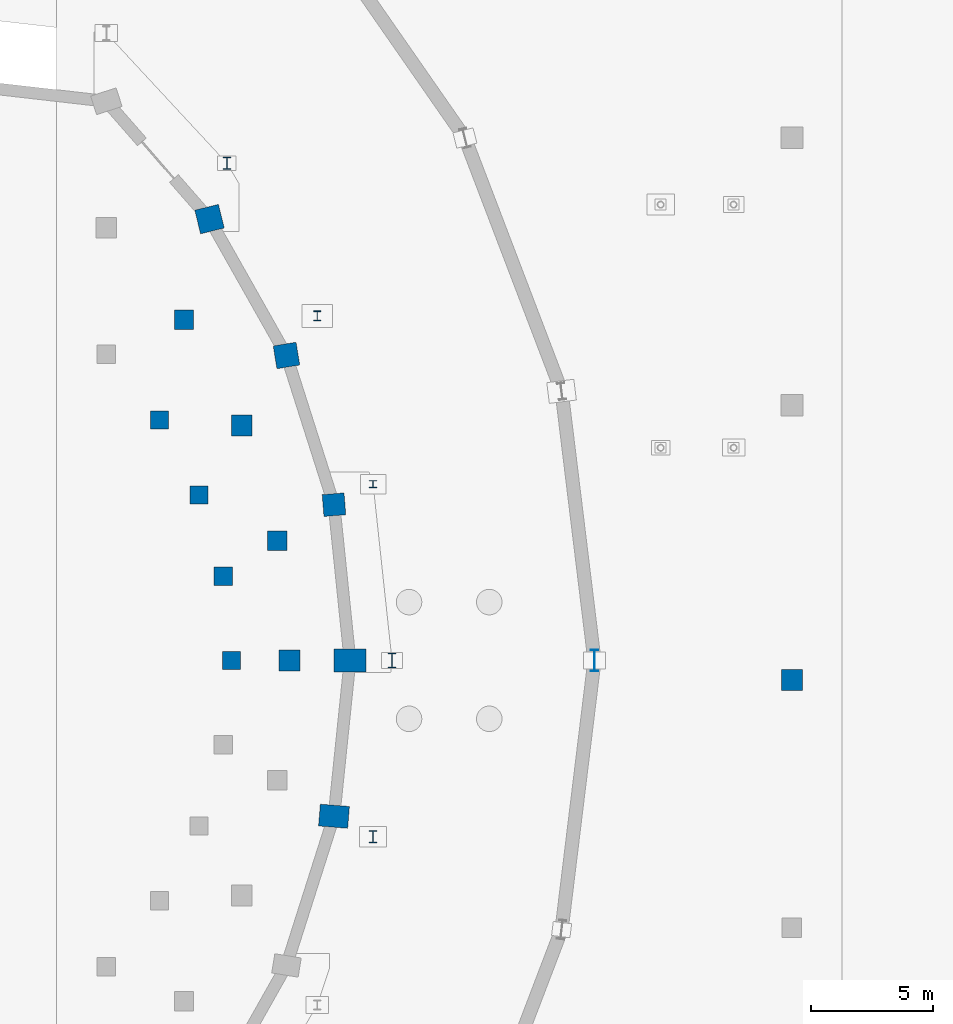
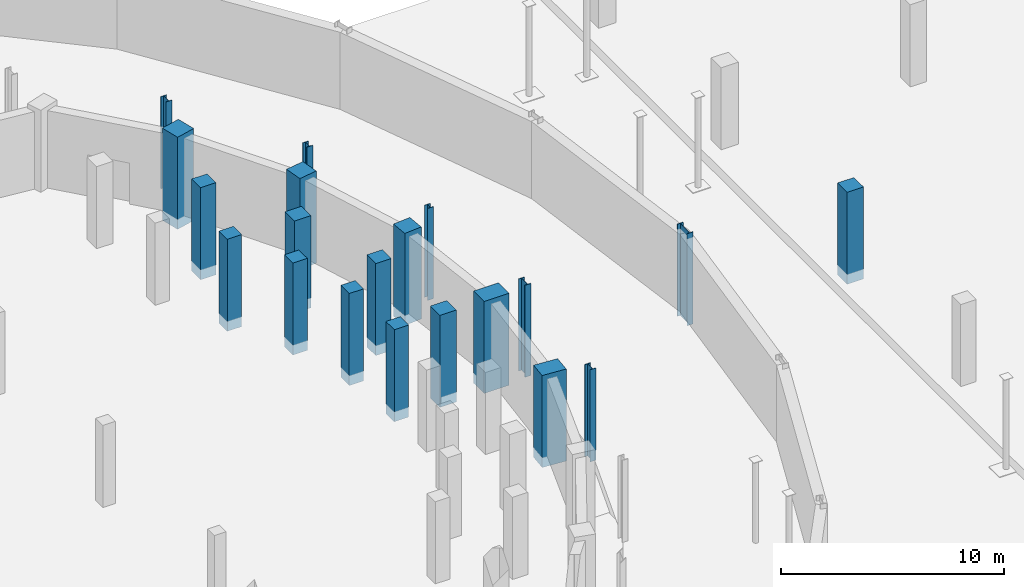
# One storey, part 30 of 55: 20 columns.
"""IFC4 building model written with IfcOpenShell, lengths in metres."""

from ifc_helpers import new_model, si_unit, direction, frame, origin, origin_2d, place, context, subcontext, project, spatial, rectangle, i_section, extrude, material, material_profile, profile_set, type_object, element, save


model = new_model("IFC4")

# Units and contexts
model_context = context("Model", 3, precision=1e-05, world=origin(), true_north=direction((0.0, 1.0)))
body_context = subcontext(model_context, "Body", "Model", "MODEL_VIEW")
ifc_project = project(units=[si_unit("LENGTHUNIT", "METRE"), si_unit("AREAUNIT", "SQUARE_METRE"), si_unit("VOLUMEUNIT", "CUBIC_METRE"), si_unit("PLANEANGLEUNIT", "RADIAN"), si_unit("MASSUNIT", "GRAM", prefix="KILO")], contexts=[model_context])

# Site, building, storey
site_placement = place(None, origin())
site = spatial("IfcSite", under=ifc_project, at=site_placement, CompositionType="ELEMENT")
building_placement = place(site_placement, origin())
building = spatial("IfcBuilding", under=site, at=building_placement, Name="Sohan Crest Arena", CompositionType="ELEMENT")
storey_placement = place(building_placement, frame((0.0, 0.0, -4.5)))
storey = spatial("IfcBuildingStorey", under=building, at=storey_placement, Name="B1", CompositionType="ELEMENT", Elevation=-4.5)

# Columns
ifc_material_1 = material(Name="Concrete C40/50", Category="concrete")
ifc_material_profile_1 = material_profile(ifc_material_1, rectangle(XDim=0.75, YDim=0.75, at=origin_2d()), Name="RC 750x750")
ifc_profile_set_1 = profile_set([ifc_material_profile_1], Name="Concrete C40/50")
column_type_1 = type_object("IfcColumnType", Name="STR-COL-C04", PredefinedType="COLUMN", material=ifc_profile_set_1)
for number, where, z_axis, x_axis, name in (
    (1, (173.14501953125, 78.0, -0.550048828125), (0.0, 0.0, 1.0), (1.0, 0.0, 0.0), "Structural column COL-V1I-24-B1"),
    (2, (172.80810546875, 81.467041015625, -0.550048828125), (0.0, 0.0, 1.0), (1.0, 0.0, 0.0), "Structural column COL-V1I-25-B1"),
    (3, (171.80908203125, 84.804931640625, -0.550048828125), (0.0, 0.0, 1.0), (1.0, 0.0, 0.0), "Structural column COL-V1I-26-B1"),
    (4, (170.18603515625, 87.887939453125, -0.550048828125), (0.0, 0.0, 1.0), (1.0, 0.0, 0.0), "Structural column COL-V1I-27-B1"),
):
    element("IfcColumn", number, at=place(storey_placement, frame(where, z_axis=z_axis, x_axis=x_axis)), inside=storey, type_object=column_type_1, Name=name, PredefinedType="COLUMN", context=body_context, shape_type="SweptSolid", body=[
        extrude(rectangle(XDim=0.75, YDim=0.75, at=origin_2d()), origin(), (0.0, 0.0, 1.0), 5.050048828125),
    ])
ifc_material_profile_2 = material_profile(ifc_material_1, rectangle(XDim=0.800048828125, YDim=0.800048828125, at=origin_2d()), Name="RC 800x800")
ifc_profile_set_2 = profile_set([ifc_material_profile_2], Name="Concrete C40/50")
column_type_2 = type_object("IfcColumnType", Name="STR-COL-C05", PredefinedType="COLUMN", material=ifc_profile_set_2)
for number, where, z_axis, x_axis, name in (
    (5, (175.037109375, 82.929931640625, -0.550048828125), (0.0, 0.0, 1.0), (1.0, 0.0, 0.0), "Structural column COL-V1M-25-B1"),
    (6, (171.194091796875, 92.011962890625, -0.550048828125), (0.0, 0.0, 1.0), (1.0, 0.0, 0.0), "Structural column COL-V1M-27-B1"),
):
    element("IfcColumn", number, at=place(storey_placement, frame(where, z_axis=z_axis, x_axis=x_axis)), inside=storey, type_object=column_type_2, Name=name, PredefinedType="COLUMN", context=body_context, shape_type="SweptSolid", body=[
        extrude(rectangle(XDim=0.800048828125, YDim=0.800048828125, at=origin_2d()), origin(), (0.0, 0.0, 1.0), 5.050048828125),
    ])
ifc_material_profile_3 = material_profile(ifc_material_1, rectangle(XDim=0.85009765625, YDim=0.85009765625, at=origin_2d()), Name="RC 850x850")
ifc_profile_set_3 = profile_set([ifc_material_profile_3], Name="Concrete C40/50")
column_type_3 = type_object("IfcColumnType", Name="STR-COL-C06", PredefinedType="COLUMN", material=ifc_profile_set_3)
for number, where, z_axis, x_axis, name in (
    (7, (175.531982421875, 78.0, -0.550048828125), (0.0, 0.0, 1.0), (1.0, 0.0, 0.0), "Structural column COL-V1M-24-B1"),
    (8, (173.571044921875, 87.6640625, -0.550048828125), (0.0, 0.0, 1.0), (1.0, 0.0, 0.0), "Structural column COL-V1M-26-B1"),
    (9, (196.199951171875, 77.199951171875, -0.550048828125), (0.0, 0.0, 1.0), (1.0, 0.0, 0.0), "Structural column COL-V4S-14-B1"),
):
    element("IfcColumn", number, at=place(storey_placement, frame(where, z_axis=z_axis, x_axis=x_axis)), inside=storey, type_object=column_type_3, Name=name, PredefinedType="COLUMN", context=body_context, shape_type="SweptSolid", body=[
        extrude(rectangle(XDim=0.85009765625, YDim=0.85009765625, at=origin_2d()), origin(), (0.0, 0.0, 1.0), 5.050048828125),
    ])
ifc_material_profile_4 = material_profile(ifc_material_1, rectangle(XDim=0.89990234375, YDim=0.89990234375, at=origin_2d()), Name="RC 900x900")
ifc_profile_set_4 = profile_set([ifc_material_profile_4], Name="Concrete C40/50")
column_type_4 = type_object("IfcColumnType", Name="STR-COL-C07", PredefinedType="COLUMN", material=ifc_profile_set_4)
column_1_placement = place(storey_placement, frame((177.363037109375, 84.406982421875, -0.550048828125), z_axis=(0.0, 0.0, 1.0), x_axis=(0.996778878456, 0.080198924329, 0.0)))
element("IfcColumn", 10, at=column_1_placement, inside=storey, type_object=column_type_4, Name="Structural column COL-V1R-25-B1", PredefinedType="COLUMN", context=body_context, shape_type="SweptSolid", body=[
    extrude(rectangle(XDim=0.89990234375, YDim=0.89990234375, at=origin_2d()), origin(), (0.0, 0.0, 1.0), 5.050048828125),
])
ifc_material_profile_5 = material_profile(ifc_material_1, rectangle(XDim=0.949951171875, YDim=0.949951171875, at=origin_2d()), Name="RC 950x950")
ifc_profile_set_5 = profile_set([ifc_material_profile_5], Name="Concrete C40/50")
column_type_5 = type_object("IfcColumnType", Name="STR-COL-C08", PredefinedType="COLUMN", material=ifc_profile_set_5)
column_2_placement = place(storey_placement, frame((175.408935546875, 90.544921875, -0.550048828125), z_axis=(0.0, 0.0, 1.0), x_axis=(0.987136265073, 0.159881187692, 0.0)))
element("IfcColumn", 11, at=column_2_placement, inside=storey, type_object=column_type_5, Name="Structural column COL-V1R-26-B1", PredefinedType="COLUMN", context=body_context, shape_type="SweptSolid", body=[
    extrude(rectangle(XDim=0.949951171875, YDim=0.949951171875, at=origin_2d()), origin(), (0.0, 0.0, 1.0), 5.050048828125),
])
ifc_material_profile_6 = material_profile(ifc_material_1, rectangle(XDim=1.0, YDim=1.0, at=origin_2d()), Name="RC 1000x1000")
ifc_profile_set_6 = profile_set([ifc_material_profile_6], Name="Concrete C40/50")
column_type_6 = type_object("IfcColumnType", Name="STR-COL-C09", PredefinedType="COLUMN", material=ifc_profile_set_6)
column_3_placement = place(storey_placement, frame((172.242919921875, 96.154052734375, -0.550048828125), z_axis=(0.0, 0.0, 1.0), x_axis=(0.971549119998, 0.236838146066, 0.0)))
element("IfcColumn", 12, at=column_3_placement, inside=storey, type_object=column_type_6, Name="Structural column COL-V1R-27-B1", PredefinedType="COLUMN", context=body_context, shape_type="SweptSolid", body=[
    extrude(rectangle(XDim=1.0, YDim=1.0, at=origin_2d()), origin(), (0.0, 0.0, 1.0), 5.050048828125),
])
ifc_material_profile_7 = material_profile(ifc_material_1, rectangle(XDim=1.199951171875, YDim=0.89990234375, at=origin_2d()), Name="RC 1200x900")
ifc_profile_set_7 = profile_set([ifc_material_profile_7], Name="Concrete C40/50")
column_type_7 = type_object("IfcColumnType", Name="STR-COL-C11", PredefinedType="COLUMN", material=ifc_profile_set_7)
column_4_placement = place(storey_placement, frame((177.363037109375, 71.593017578125, -0.550048828125), z_axis=(0.0, 0.0, 1.0), x_axis=(-0.996778878456, 0.080198924329, 0.0)))
element("IfcColumn", 13, at=column_4_placement, inside=storey, type_object=column_type_7, Name="Structural column COL-V1R-23-B1", PredefinedType="COLUMN", context=body_context, shape_type="SweptSolid", body=[
    extrude(rectangle(XDim=1.199951171875, YDim=0.89990234375, at=origin_2d()), origin(), (0.0, 0.0, 1.0), 5.050048828125),
])
ifc_material_profile_8 = material_profile(ifc_material_1, rectangle(XDim=1.300048828125, YDim=0.949951171875, at=origin_2d()), Name="RC 1300x950")
ifc_profile_set_8 = profile_set([ifc_material_profile_8], Name="Concrete C40/50")
column_type_8 = type_object("IfcColumnType", Name="STR-COL-C12", PredefinedType="COLUMN", material=ifc_profile_set_8)
column_5_placement = place(storey_placement, frame((178.02294921875, 78.0, -0.550048828125), z_axis=(0.0, 0.0, 1.0), x_axis=(1.0, 0.0, 0.0)))
element("IfcColumn", 14, at=column_5_placement, inside=storey, type_object=column_type_8, Name="Structural column COL-V1R-24-B1", PredefinedType="COLUMN", context=body_context, shape_type="SweptSolid", body=[
    extrude(rectangle(XDim=1.300048828125, YDim=0.949951171875, at=origin_2d()), origin(), (0.0, 0.0, 1.0), 5.050048828125),
])
ifc_material_2 = material(Name="Steel S355", Category="steel")
ifc_material_profile_9 = material_profile(ifc_material_2, i_section(OverallWidth=0.300048828125, OverallDepth=0.300048828125, WebThickness=0.010986328125, FlangeThickness=0.01904296875, at=origin_2d()), Name="HEB 300")
ifc_profile_set_9 = profile_set([ifc_material_profile_9], Name="Steel S355")
column_type_9 = type_object("IfcColumnType", Name="STR-COL-C17", PredefinedType="COLUMN", material=ifc_profile_set_9)
column_6_placement = place(storey_placement, frame((178.971923828125, 85.251953125, -0.550048828125), z_axis=(0.0, 0.0, 1.0), x_axis=(1.0, 0.0, 0.0)))
element("IfcColumn", 15, at=column_6_placement, inside=storey, type_object=column_type_9, Name="Structural column COL-V2I-25-B1", PredefinedType="COLUMN", context=body_context, shape_type="SweptSolid", body=[
    extrude(i_section(OverallWidth=0.300048828125, OverallDepth=0.300048828125, WebThickness=0.010986328125, FlangeThickness=0.01904296875, at=origin_2d()), origin(), (0.0, 0.0, 1.0), 5.050048828125),
])
ifc_material_profile_10 = material_profile(ifc_material_2, i_section(OverallWidth=0.300048828125, OverallDepth=0.39990234375, WebThickness=0.013427734375, FlangeThickness=0.02392578125, at=origin_2d()), Name="HEB 400")
ifc_profile_set_10 = profile_set([ifc_material_profile_10], Name="Steel S355")
column_type_10 = type_object("IfcColumnType", Name="STR-COL-C18", PredefinedType="COLUMN", material=ifc_profile_set_10)
column_7_placement = place(storey_placement, frame((176.674072265625, 92.175048828125, -0.550048828125), z_axis=(0.0, 0.0, 1.0), x_axis=(1.0, 0.0, 0.0)))
element("IfcColumn", 16, at=column_7_placement, inside=storey, type_object=column_type_10, Name="Structural column COL-V2I-26-B1", PredefinedType="COLUMN", context=body_context, shape_type="SweptSolid", body=[
    extrude(i_section(OverallWidth=0.300048828125, OverallDepth=0.39990234375, WebThickness=0.013427734375, FlangeThickness=0.02392578125, at=origin_2d()), origin(), (0.0, 0.0, 1.0), 5.050048828125),
])
ifc_material_profile_11 = material_profile(ifc_material_2, i_section(OverallWidth=0.300048828125, OverallDepth=0.5, WebThickness=0.014404296875, FlangeThickness=0.028076171875, at=origin_2d()), Name="HEB 500")
ifc_profile_set_11 = profile_set([ifc_material_profile_11], Name="Steel S355")
column_type_11 = type_object("IfcColumnType", Name="STR-COL-C19", PredefinedType="COLUMN", material=ifc_profile_set_11)
for number, where, z_axis, x_axis, name in (
    (17, (178.971923828125, 70.748046875, -0.550048828125), (0.0, 0.0, 1.0), (1.0, 0.0, 0.0), "Structural column COL-V2I-23-B1"),
    (18, (172.9609375, 98.452880859375, -0.550048828125), (0.0, 0.0, 1.0), (1.0, 0.0, 0.0), "Structural column COL-V2I-27-B1"),
):
    element("IfcColumn", number, at=place(storey_placement, frame(where, z_axis=z_axis, x_axis=x_axis)), inside=storey, type_object=column_type_11, Name=name, PredefinedType="COLUMN", context=body_context, shape_type="SweptSolid", body=[
        extrude(i_section(OverallWidth=0.300048828125, OverallDepth=0.5, WebThickness=0.014404296875, FlangeThickness=0.028076171875, at=origin_2d()), origin(), (0.0, 0.0, 1.0), 5.050048828125),
    ])
ifc_material_profile_12 = material_profile(ifc_material_2, i_section(OverallWidth=0.300048828125, OverallDepth=0.60009765625, WebThickness=0.015380859375, FlangeThickness=0.030029296875, at=origin_2d()), Name="HEB 600")
ifc_profile_set_12 = profile_set([ifc_material_profile_12], Name="Steel S355")
column_type_12 = type_object("IfcColumnType", Name="STR-COL-C20", PredefinedType="COLUMN", material=ifc_profile_set_12)
column_8_placement = place(storey_placement, frame((179.75, 78.0, -0.550048828125), z_axis=(0.0, 0.0, 1.0), x_axis=(1.0, 0.0, 0.0)))
element("IfcColumn", 19, at=column_8_placement, inside=storey, type_object=column_type_12, Name="Structural column COL-V2I-24-B1", PredefinedType="COLUMN", context=body_context, shape_type="SweptSolid", body=[
    extrude(i_section(OverallWidth=0.300048828125, OverallDepth=0.60009765625, WebThickness=0.015380859375, FlangeThickness=0.030029296875, at=origin_2d()), origin(), (0.0, 0.0, 1.0), 5.050048828125),
])
ifc_material_profile_13 = material_profile(ifc_material_2, i_section(OverallWidth=0.300048828125, OverallDepth=0.89990234375, WebThickness=0.0185546875, FlangeThickness=0.034912109375, at=origin_2d()), Name="HEB 900")
ifc_profile_set_13 = profile_set([ifc_material_profile_13], Name="Steel S355")
column_type_13 = type_object("IfcColumnType", Name="STR-COL-C23", PredefinedType="COLUMN", material=ifc_profile_set_13)
column_9_placement = place(storey_placement, frame((188.076904296875, 78.0, -0.550048828125), z_axis=(0.0, 0.0, 1.0), x_axis=(1.0, 0.0, 0.0)))
element("IfcColumn", 20, at=column_9_placement, inside=storey, type_object=column_type_13, Name="Structural column COL-V2O-24-B1", PredefinedType="COLUMN", context=body_context, shape_type="SweptSolid", body=[
    extrude(i_section(OverallWidth=0.300048828125, OverallDepth=0.89990234375, WebThickness=0.0185546875, FlangeThickness=0.034912109375, at=origin_2d()), origin(), (0.0, 0.0, 1.0), 5.050048828125),
])

save(model, "model.ifc")
